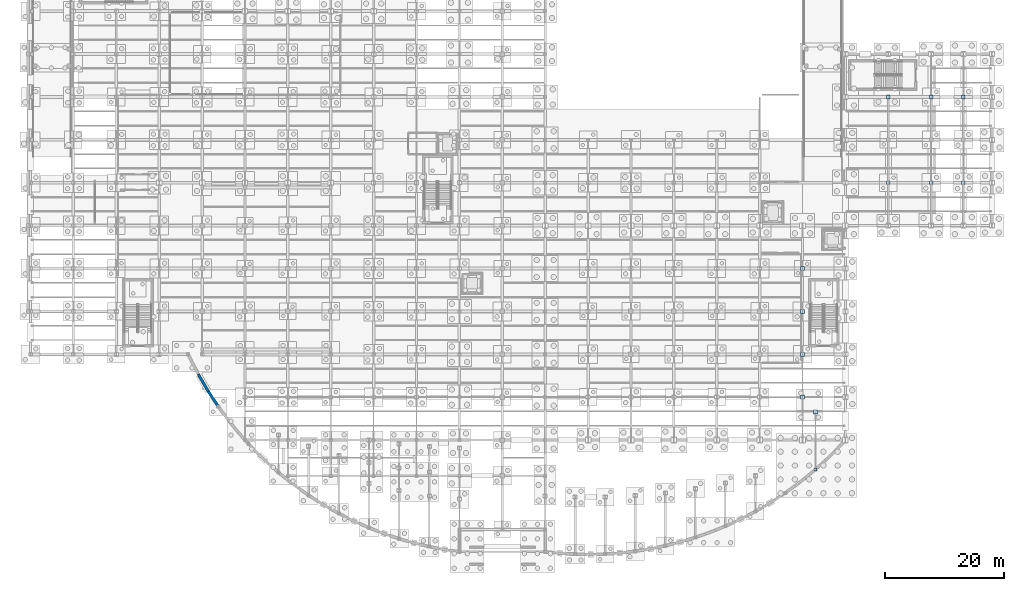
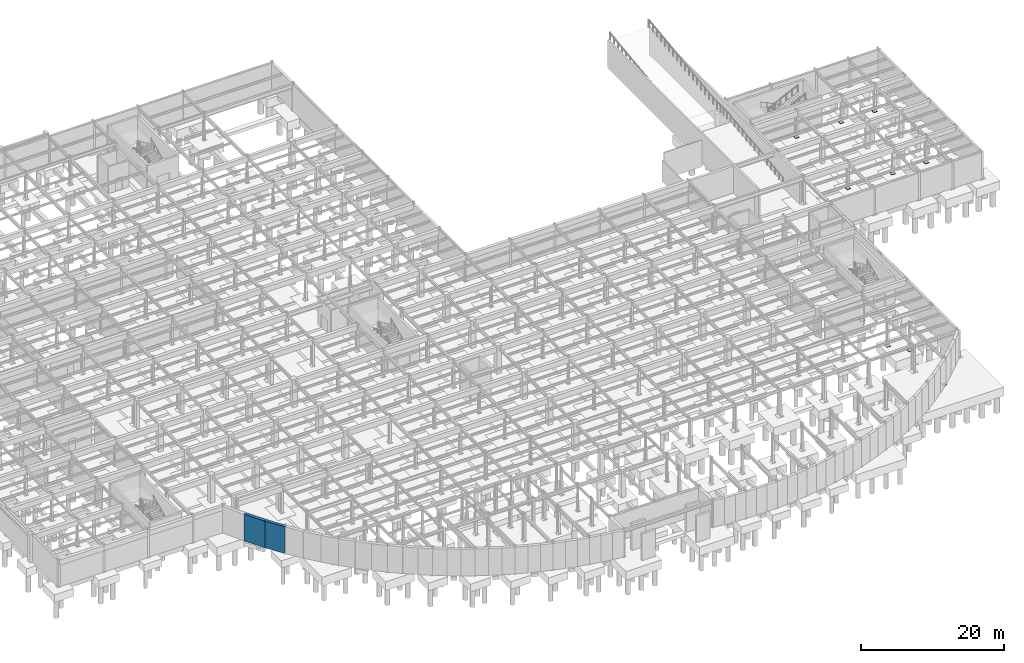
# One storey, part 44 of 64: 12 plates, 2 walls.
"""IFC4 building model written with IfcOpenShell, lengths in metres."""

from ifc_helpers import new_model, si_unit, direction, frame, frame_2d, origin, origin_2d, place, context, subcontext, project, spatial, rectangle, extrude, material, layer, layer_set, type_object, element, save


model = new_model("IFC4")

# Units and contexts
model_context = context("Model", 3, precision=1e-05, world=origin(), true_north=direction((0.0, 1.0)))
body_context = subcontext(model_context, "Body", "Model", "MODEL_VIEW")
ifc_project = project(units=[si_unit("LENGTHUNIT", "METRE"), si_unit("AREAUNIT", "SQUARE_METRE"), si_unit("VOLUMEUNIT", "CUBIC_METRE"), si_unit("PLANEANGLEUNIT", "RADIAN"), si_unit("MASSUNIT", "GRAM", prefix="KILO")], contexts=[model_context])

# Site, building, storey
site_placement = place(None, origin())
site = spatial("IfcSite", under=ifc_project, at=site_placement, CompositionType="ELEMENT")
building_placement = place(site_placement, origin())
building = spatial("IfcBuilding", under=site, at=building_placement, Name="Solvadek Multi-Sports Hall", CompositionType="ELEMENT")
storey_placement = place(building_placement, frame((0.0, 0.0, -4.800048828125)))
storey = spatial("IfcBuildingStorey", under=building, at=storey_placement, Name="B1", CompositionType="ELEMENT", Elevation=-4.800048828125)

# Plates
ifc_material_1 = material(Name="Steel E350 (350 MPa)", Category="steel")
ifc_layer_1 = layer(ifc_material_1, 0.02197265625, Name="Steel E350 (350 MPa)")
ifc_layer_set_1 = layer_set([ifc_layer_1], Name="Steel E350 (350 MPa)")
plate_type_1 = type_object("IfcPlateType", Name="STR-PLT-BAS520", PredefinedType="USERDEFINED", material=ifc_layer_set_1)
plate_placement = place(storey_placement, frame((131.760009765625, 1.05615234375, 0.0), z_axis=(0.0, 0.0, 1.0), x_axis=(1.0, 0.0, 0.0)))
element("IfcPlate", 1, at=plate_placement, inside=storey, type_object=plate_type_1, Name="Column Base Plate #316", ObjectType="BASE_PLATE", PredefinedType="USERDEFINED", context=body_context, shape_type="SweptSolid", body=[
    extrude(rectangle(XDim=0.52001953125, YDim=0.52001953125, at=origin_2d()), origin(), (0.0, 0.0, 1.0), 0.02197265625),
])
ifc_layer_2 = layer(ifc_material_1, 0.02490234375, Name="Steel E350 (350 MPa)")
ifc_layer_set_2 = layer_set([ifc_layer_2], Name="Steel E350 (350 MPa)")
plate_type_2 = type_object("IfcPlateType", Name="STR-PLT-BAS600", PredefinedType="USERDEFINED", material=ifc_layer_set_2)
for number, where, z_axis, x_axis, name in (
    (2, (144.0, 49.199951171875, 0.0), (0.0, 0.0, 1.0), (1.0, 0.0, 0.0), "Column Base Plate #240"),
    (3, (144.0, 63.60009765625, 0.0), (0.0, 0.0, 1.0), (1.0, 0.0, 0.0), "Column Base Plate #241"),
    (4, (151.199951171875, 49.199951171875, 0.0), (0.0, 0.0, 1.0), (1.0, 0.0, 0.0), "Column Base Plate #244"),
    (5, (151.199951171875, 63.60009765625, 0.0), (0.0, 0.0, 1.0), (1.0, 0.0, 0.0), "Column Base Plate #245"),
    (6, (156.60009765625, 49.199951171875, 0.0), (0.0, 0.0, 1.0), (1.0, 0.0, 0.0), "Column Base Plate #248"),
    (7, (156.60009765625, 63.60009765625, 0.0), (0.0, 0.0, 1.0), (1.0, 0.0, 0.0), "Column Base Plate #249"),
):
    element("IfcPlate", number, at=place(storey_placement, frame(where, z_axis=z_axis, x_axis=x_axis)), inside=storey, type_object=plate_type_2, Name=name, ObjectType="BASE_PLATE", PredefinedType="USERDEFINED", context=body_context, shape_type="SweptSolid", body=[
        extrude(rectangle(XDim=0.60009765625, YDim=0.60009765625, at=origin_2d()), origin(), (0.0, 0.0, 1.0), 0.02490234375),
    ])
ifc_layer_3 = layer(ifc_material_1, 0.02587890625, Name="Steel E350 (350 MPa)")
ifc_layer_set_3 = layer_set([ifc_layer_3], Name="Steel E350 (350 MPa)")
plate_type_3 = type_object("IfcPlateType", Name="STR-PLT-BAS680", PredefinedType="USERDEFINED", material=ifc_layer_set_3)
for number, where, z_axis, x_axis, name in (
    (8, (129.60009765625, 13.199951171875, 0.0), (0.0, 0.0, 1.0), (1.0, 0.0, 0.0), "Column Base Plate #224"),
    (9, (129.60009765625, 20.39990234375, 0.0), (0.0, 0.0, 1.0), (1.0, 0.0, 0.0), "Column Base Plate #225"),
    (10, (129.60009765625, 27.60009765625, 0.0), (0.0, 0.0, 1.0), (1.0, 0.0, 0.0), "Column Base Plate #226"),
    (11, (129.60009765625, 34.800048828125, 0.0), (0.0, 0.0, 1.0), (1.0, 0.0, 0.0), "Column Base Plate #227"),
    (12, (131.760009765625, 10.72802734375, 0.0), (0.0, 0.0, 1.0), (1.0, 0.0, 0.0), "Column Base Plate #318"),
):
    element("IfcPlate", number, at=place(storey_placement, frame(where, z_axis=z_axis, x_axis=x_axis)), inside=storey, type_object=plate_type_3, Name=name, ObjectType="BASE_PLATE", PredefinedType="USERDEFINED", context=body_context, shape_type="SweptSolid", body=[
        extrude(rectangle(XDim=0.679931640625, YDim=0.679931640625, at=origin_2d()), origin(), (0.0, 0.0, 1.0), 0.02587890625),
    ])

# Walls
ifc_material_2 = material(Name="Concrete M40", Category="concrete")
ifc_layer_4 = layer(ifc_material_2, 0.449951171875, Name="Concrete M40")
ifc_layer_set_4 = layer_set([ifc_layer_4], Name="Concrete M40")
wall_type = type_object("IfcWallType", Name="ENV-WAL-RET450", PredefinedType="USERDEFINED", material=ifc_layer_set_4)
wall_1_placement = place(storey_placement, frame((28.1416015625, 17.066650390625, 0.0), z_axis=(0.0, 0.0, 1.0), x_axis=(0.504920301196, -0.863165968653, 0.0)))
element("IfcWall", 13, at=wall_1_placement, inside=storey, type_object=wall_type, Name="B1 Basement Retaining Wall #3", ObjectType="RETAININGWALL", PredefinedType="USERDEFINED", context=body_context, shape_type="SweptSolid", body=[
    extrude(rectangle(XDim=3.340576171875, YDim=0.449951171875, at=frame_2d((1.67041015625, 0.0))), origin(), (0.0, 0.0, 1.0), 4.550048828125),
])
wall_2_placement = place(storey_placement, frame((29.828369140625, 14.18310546875, 0.0), z_axis=(0.0, 0.0, 1.0), x_axis=(0.551582732141, -0.834120188944, 0.0)))
element("IfcWall", 14, at=wall_2_placement, inside=storey, type_object=wall_type, Name="B1 Basement Retaining Wall #4", ObjectType="RETAININGWALL", PredefinedType="USERDEFINED", context=body_context, shape_type="SweptSolid", body=[
    extrude(rectangle(XDim=3.05810546875, YDim=0.449951171875, at=frame_2d((1.529052734375, 0.0))), origin(), (0.0, 0.0, 1.0), 4.550048828125),
])

save(model, "model.ifc")
